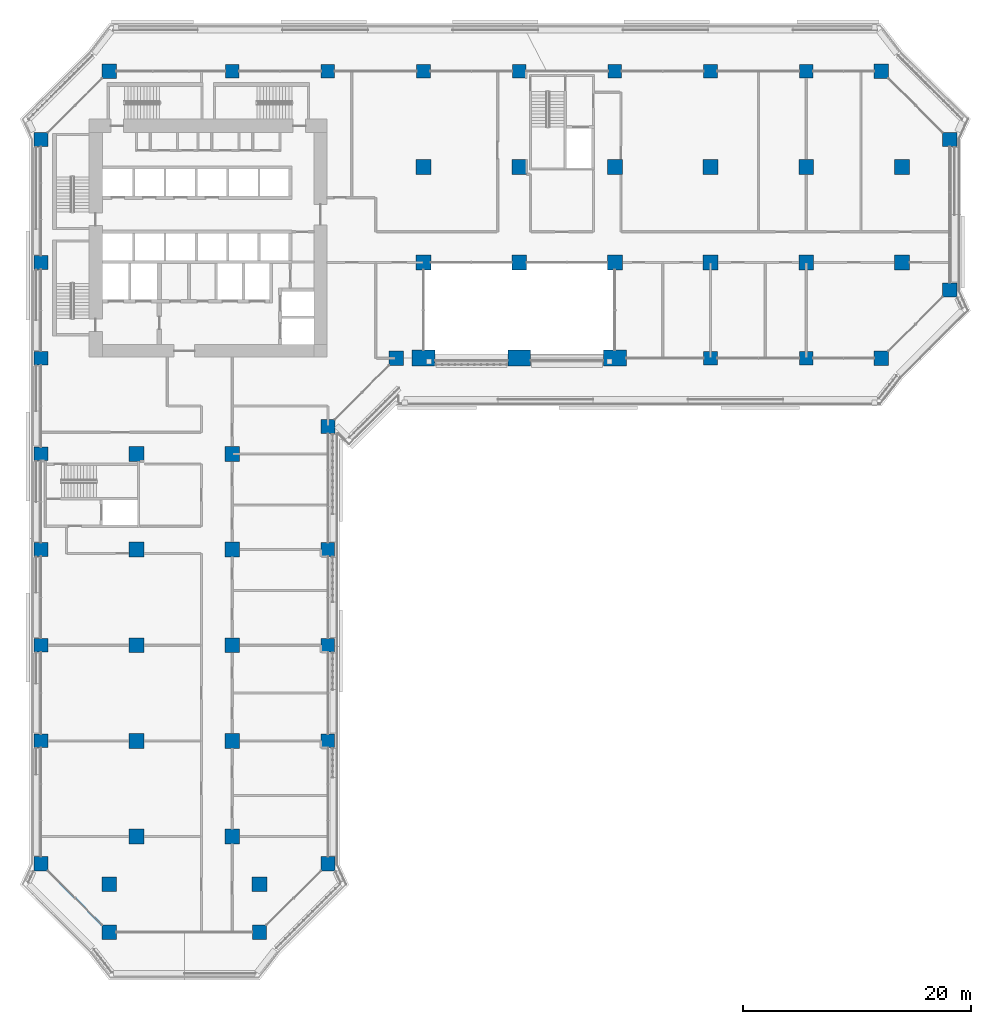
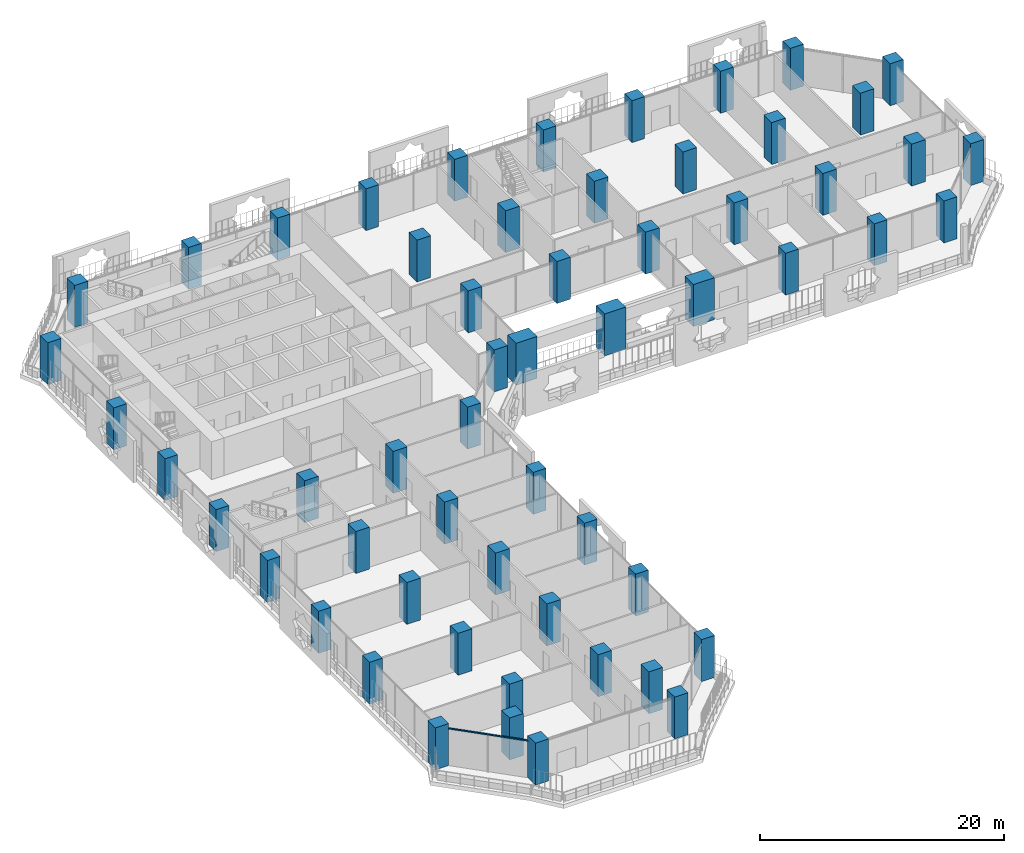
# One storey, part 1 of 28: 57 columns, 1 member, 1 element without a shape of its own.
"""IFC4 building model written with IfcOpenShell, lengths in metres."""

import ifcopenshell
import ifcopenshell.guid

model = None  # the IFC model being written
_history = None  # IfcOwnerHistory: only IFC2X3 demands one
_inside = {}  # id of a spatial element -> (the spatial element, [elements in it])
_under = {}  # id of a project, library or spatial element -> (it, [spatial elements below it])
_declared = {}  # id of a project -> (the project, [libraries it declares])
_typed = {}  # id of a type object -> (the type object, [elements of that type])
_made_of = {}  # id of a material, layer set ... -> (it, [elements and type objects made of it])


def new_model(schema):
    """Start an empty IFC model of exactly this schema.

    Asked for "IFC4X3", IfcOpenShell would pick the latest addendum, in which some entities
    have other attributes; the version numbers below select the first issue.
    IFC2X3 requires an IfcOwnerHistory on every rooted entity: one is made here for all.
    """
    global model, _history
    if schema == "IFC4X3":
        model = ifcopenshell.file(schema_version=(4, 3, 0, 0))
    else:
        model = ifcopenshell.file(schema=schema)
    _inside.clear()
    _under.clear()
    _declared.clear()
    _typed.clear()
    _made_of.clear()
    _history = None
    if model.schema == "IFC2X3":
        org = make("IfcOrganization", Name="unknown")
        user = make(
            "IfcPersonAndOrganization",
            ThePerson=make("IfcPerson", FamilyName="unknown"),
            TheOrganization=org,
        )
        app = make(
            "IfcApplication",
            ApplicationDeveloper=org,
            Version="unknown",
            ApplicationFullName="unknown",
            ApplicationIdentifier="unknown",
        )
        _history = make(
            "IfcOwnerHistory",
            OwningUser=user,
            OwningApplication=app,
            ChangeAction="ADDED",
            CreationDate=0,
        )
    return model


def make(cls, **values):
    """One entity of the class cls with the attributes given. An attribute that is None is left unset."""
    return model.create_entity(
        cls, **{name: value for name, value in values.items() if value is not None}
    )


def rooted(cls, **values):
    """An entity with a GlobalId (a new one), such as an element, a storey or a relation."""
    return make(cls, GlobalId=ifcopenshell.guid.new(), OwnerHistory=_history, **values)


def si_unit(unit_type, name, prefix=None):
    """IfcSIUnit, for example si_unit("LENGTHUNIT", "METRE", prefix="MILLI")."""
    return make("IfcSIUnit", UnitType=unit_type, Prefix=prefix, Name=name)


def assignment(units):
    """IfcUnitAssignment: the units of a project."""
    return None if units is None else make("IfcUnitAssignment", Units=units)


def point(xyz):
    """IfcCartesianPoint."""
    return None if xyz is None else make("IfcCartesianPoint", Coordinates=xyz)


def direction(xyz):
    """IfcDirection."""
    return None if xyz is None else make("IfcDirection", DirectionRatios=xyz)


def frame(location, z_axis=None, x_axis=None):
    """IfcAxis2Placement3D, a coordinate frame: its origin and axes. An axis left out is left unset."""
    return make(
        "IfcAxis2Placement3D",
        Location=point(location),
        Axis=direction(z_axis),
        RefDirection=direction(x_axis),
    )


def frame_2d(location, x_axis=None):
    """IfcAxis2Placement2D, a coordinate frame in the plane: its origin and x axis."""
    return make(
        "IfcAxis2Placement2D", Location=point(location), RefDirection=direction(x_axis)
    )


def origin():
    """The frame at (0, 0, 0) with its axes left unset."""
    return frame((0.0, 0.0, 0.0))


def origin_2d():
    """The frame at (0, 0) in the plane with its x axis left unset."""
    return frame_2d((0.0, 0.0))


def place(relative_to, where):
    """IfcLocalPlacement: puts the frame where relative to a parent placement (None: the world)."""
    return make(
        "IfcLocalPlacement", PlacementRelTo=relative_to, RelativePlacement=where
    )


def context(
    kind, dimensions, precision=None, world=None, true_north=None, identifier=None
):
    """IfcGeometricRepresentationContext, for example the 3D "Model" context."""
    return make(
        "IfcGeometricRepresentationContext",
        ContextIdentifier=identifier,
        ContextType=kind,
        CoordinateSpaceDimension=dimensions,
        Precision=precision,
        WorldCoordinateSystem=world,
        TrueNorth=true_north,
    )


def subcontext(parent, identifier, kind, view, scale=None):
    """IfcGeometricRepresentationSubContext, for example "Body" below "Model"."""
    return make(
        "IfcGeometricRepresentationSubContext",
        ContextIdentifier=identifier,
        ContextType=kind,
        ParentContext=parent,
        TargetScale=scale,
        TargetView=view,
    )


def project(units=None, contexts=None):
    """IfcProject with its units and contexts."""
    return rooted(
        "IfcProject",
        Name="project",
        RepresentationContexts=contexts,
        UnitsInContext=assignment(units),
    )


def spatial(cls, under=None, at=None, **own):
    """A site, building, storey or space (cls), placed at a placement, below another one or the project."""
    s = rooted(cls, ObjectPlacement=at, **own)
    if under is not None:
        _under.setdefault(under.id(), (under, []))[1].append(s)
    return s


def profile(cls, at=None, kind="AREA", **sizes):
    """A parametric profile (cls). Its sizes go by their IFC names, for example OverallWidth=200.0."""
    return make(cls, ProfileType=kind, Position=at, **sizes)


def rectangle(**sizes):
    """IfcRectangleProfileDef."""
    return profile("IfcRectangleProfileDef", **sizes)


def extrude(swept, where, along, depth):
    """IfcExtrudedAreaSolid: the profile swept, set in the frame where, extruded along a direction by depth."""
    return make(
        "IfcExtrudedAreaSolid",
        SweptArea=swept,
        Position=where,
        ExtrudedDirection=direction(along),
        Depth=depth,
    )


def shape(context_of_items, identifier, shape_type, items):
    """IfcShapeRepresentation: the items that make up one representation, for example the "Body"."""
    return make(
        "IfcShapeRepresentation",
        ContextOfItems=context_of_items,
        RepresentationIdentifier=identifier,
        RepresentationType=shape_type,
        Items=items,
    )


def material(Name=None, Category=None):
    """IfcMaterial."""
    return make("IfcMaterial", Name=Name, Category=Category)


def layer(
    of_material, thickness, ventilated=None, Name=None, Category=None, Priority=None
):
    """IfcMaterialLayer: one layer of a wall or slab, of a material (None: an air gap)."""
    return make(
        "IfcMaterialLayer",
        Material=of_material,
        LayerThickness=thickness,
        IsVentilated=ventilated,
        Name=Name,
        Category=Category,
        Priority=Priority,
    )


def layer_set(layers, Name=None):
    """IfcMaterialLayerSet."""
    return make("IfcMaterialLayerSet", MaterialLayers=layers, LayerSetName=Name)


def material_profile(
    of_material, cross_section, Name=None, Category=None, Priority=None
):
    """IfcMaterialProfile: a cross section and its material."""
    return make(
        "IfcMaterialProfile",
        Name=Name,
        Material=of_material,
        Profile=cross_section,
        Priority=Priority,
        Category=Category,
    )


def profile_set(profiles, Name=None, composite=None):
    """IfcMaterialProfileSet."""
    return make(
        "IfcMaterialProfileSet",
        Name=Name,
        MaterialProfiles=profiles,
        CompositeProfile=composite,
    )


def made_of(thing, what):
    """Note that an element or type object is made of a material, layer set ...; save() writes the relation."""
    if what is not None:
        _made_of.setdefault(what.id(), (what, []))[1].append(thing)
    return thing


def type_object(cls, material=None, **own):
    """A type object (cls), such as IfcWallType, which elements share."""
    return made_of(rooted(cls, **own), material)


def element(
    cls,
    number,
    at=None,
    inside=None,
    cuts=None,
    type_object=None,
    material=None,
    context=None,
    identifier="Body",
    shape_type=None,
    held_by="IfcProductDefinitionShape",
    body=None,
    shapes=None,
    **own,
):
    """One element of the class cls, such as IfcWall. Its Tag is "e" and its number.

    at: its placement. inside: the storey or other place that contains it. cuts: it is an
    opening in that element (IfcRelVoidsElement). A single representation is given by context,
    identifier, shape_type and body (its items); several are given by shapes. held_by: the class
    of the entity that holds the representations. save() writes the other relations.
    """
    e = rooted(cls, Tag="e%d" % number, ObjectPlacement=at, **own)
    if body is not None:
        shapes = [shape(context, identifier, shape_type, body)]
    if shapes is not None:
        e.Representation = make(held_by, Representations=shapes)
    if inside is not None:
        _inside.setdefault(inside.id(), (inside, []))[1].append(e)
    if cuts is not None:
        rooted(
            "IfcRelVoidsElement", RelatingBuildingElement=cuts, RelatedOpeningElement=e
        )
    if type_object is not None:
        _typed.setdefault(type_object.id(), (type_object, []))[1].append(e)
    return made_of(e, material)


def aggregate(whole, parts):
    """IfcRelAggregates: a whole, such as a stair, and the parts it consists of."""
    return rooted("IfcRelAggregates", RelatingObject=whole, RelatedObjects=parts)


def save(model, path):
    """Write the relations noted so far, then the file.

    IfcRelAggregates (storeys below a building ...), IfcRelContainedInSpatialStructure (elements
    in a storey), IfcRelDefinesByType, IfcRelAssociatesMaterial and IfcRelDeclares: one each for
    every whole, place, type object, material and project.
    """
    for whole, parts in _under.values():
        aggregate(whole, parts)
    for where, things in _inside.values():
        rooted(
            "IfcRelContainedInSpatialStructure",
            RelatedElements=things,
            RelatingStructure=where,
        )
    for kind, things in _typed.values():
        rooted("IfcRelDefinesByType", RelatedObjects=things, RelatingType=kind)
    for what, things in _made_of.values():
        rooted("IfcRelAssociatesMaterial", RelatedObjects=things, RelatingMaterial=what)
    for by, libraries in _declared.values():
        rooted("IfcRelDeclares", RelatingContext=by, RelatedDefinitions=libraries)
    model.write(path)


model = new_model("IFC4")

# Units and contexts
model_context = context("Model", 3, precision=1e-05, world=origin(), true_north=direction((0.0, 1.0)))
body_context = subcontext(model_context, "Body", "Model", "MODEL_VIEW")
ifc_project = project(units=[si_unit("LENGTHUNIT", "METRE"), si_unit("AREAUNIT", "SQUARE_METRE"), si_unit("VOLUMEUNIT", "CUBIC_METRE"), si_unit("PLANEANGLEUNIT", "RADIAN"), si_unit("MASSUNIT", "GRAM", prefix="KILO")], contexts=[model_context])

# Site, building, storey
site_placement = place(None, origin())
site = spatial("IfcSite", under=ifc_project, at=site_placement, CompositionType="ELEMENT")
building_placement = place(site_placement, origin())
building = spatial("IfcBuilding", under=site, at=building_placement, Name="Kawkab Arch Medical Tower", CompositionType="ELEMENT")
storey_placement = place(building_placement, frame((0.0, 0.0, 47.60009765625)))
storey = spatial("IfcBuildingStorey", under=building, at=storey_placement, Name="L10", CompositionType="ELEMENT", Elevation=47.60009765625)

# Columns
ifc_material_1 = material(Name="Concrete C60/75", Category="concrete")
ifc_material_profile_1 = material_profile(ifc_material_1, rectangle(XDim=1.199951171875, YDim=1.199951171875, at=origin_2d()), Name="RC 1200x1200")
ifc_profile_set_1 = profile_set([ifc_material_profile_1], Name="Concrete C60/75")
column_type_1 = type_object("IfcColumnType", Name="RC 1200x1200 column C60/75", PredefinedType="COLUMN", material=ifc_profile_set_1)
for number, where, z_axis, x_axis, name in (
    (1, (16.800048828125, 0.0, 0.0), (0.0, 0.0, 1.0), (1.0, 0.0, 0.0), "Column RC 1200x1200"),
    (2, (25.199951171875, 0.0, 0.0), (0.0, 0.0, 1.0), (1.0, 0.0, 0.0), "Column RC 1200x1200"),
    (3, (33.60009765625, 0.0, 0.0), (0.0, 0.0, 1.0), (1.0, 0.0, 0.0), "Column RC 1200x1200"),
    (4, (42.0, 0.0, 0.0), (0.0, 0.0, 1.0), (1.0, 0.0, 0.0), "Column RC 1200x1200"),
    (5, (50.39990234375, 0.0, 0.0), (0.0, 0.0, 1.0), (1.0, 0.0, 0.0), "Column RC 1200x1200"),
    (6, (58.800048828125, 0.0, 0.0), (0.0, 0.0, 1.0), (1.0, 0.0, 0.0), "Column RC 1200x1200"),
    (7, (67.199951171875, 0.0, 0.0), (0.0, 0.0, 1.0), (1.0, 0.0, 0.0), "Column RC 1200x1200"),
    (8, (0.0, -16.800048828125, 0.0), (0.0, 0.0, 1.0), (1.0, 0.0, 0.0), "Column RC 1200x1200"),
    (9, (0.0, -25.199951171875, 0.0), (0.0, 0.0, 1.0), (1.0, 0.0, 0.0), "Column RC 1200x1200"),
    (10, (58.800048828125, -25.199951171875, 0.0), (0.0, 0.0, 1.0), (1.0, 0.0, 0.0), "Column RC 1200x1200"),
    (11, (67.199951171875, -25.199951171875, 0.0), (0.0, 0.0, 1.0), (1.0, 0.0, 0.0), "Column RC 1200x1200"),
    (12, (0.0, -33.60009765625, 0.0), (0.0, 0.0, 1.0), (1.0, 0.0, 0.0), "Column RC 1200x1200"),
    (13, (0.0, -42.0, 0.0), (0.0, 0.0, 1.0), (1.0, 0.0, 0.0), "Column RC 1200x1200"),
    (14, (25.199951171875, -42.0, 0.0), (0.0, 0.0, 1.0), (1.0, 0.0, 0.0), "Column RC 1200x1200"),
    (15, (0.0, -50.39990234375, 0.0), (0.0, 0.0, 1.0), (1.0, 0.0, 0.0), "Column RC 1200x1200"),
    (16, (25.199951171875, -50.39990234375, 0.0), (0.0, 0.0, 1.0), (1.0, 0.0, 0.0), "Column RC 1200x1200"),
    (17, (0.0, -58.800048828125, 0.0), (0.0, 0.0, 1.0), (1.0, 0.0, 0.0), "Column RC 1200x1200"),
    (18, (25.199951171875, -58.800048828125, 0.0), (0.0, 0.0, 1.0), (1.0, 0.0, 0.0), "Column RC 1200x1200"),
):
    element("IfcColumn", number, at=place(storey_placement, frame(where, z_axis=z_axis, x_axis=x_axis)), inside=storey, type_object=column_type_1, Name=name, PredefinedType="COLUMN", context=body_context, shape_type="SweptSolid", body=[
        extrude(rectangle(XDim=1.199951171875, YDim=1.199951171875, at=origin_2d()), origin(), (0.0, 0.0, 1.0), 4.199951171875),
    ])
ifc_material_2 = material(Name="Concrete C60/75", Category="concrete")
ifc_material_profile_2 = material_profile(ifc_material_2, rectangle(XDim=1.25, YDim=1.25, at=origin_2d()), Name="RC 1250x1250")
ifc_profile_set_2 = profile_set([ifc_material_profile_2], Name="Concrete C60/75")
column_type_2 = type_object("IfcColumnType", Name="RC 1250x1250 column C60/75", PredefinedType="COLUMN", material=ifc_profile_set_2)
for number, where, z_axis, x_axis, name in (
    (19, (6.0, 0.0, 0.0), (0.0, 0.0, 1.0), (1.0, 0.0, 0.0), "Column RC 1250x1250"),
    (20, (73.800048828125, 0.0, 0.0), (0.0, 0.0, 1.0), (1.0, 0.0, 0.0), "Column RC 1250x1250"),
    (21, (0.0, -6.0, 0.0), (0.0, 0.0, 1.0), (1.0, 0.0, 0.0), "Column RC 1250x1250"),
    (22, (79.800048828125, -6.0, 0.0), (0.0, 0.0, 1.0), (1.0, 0.0, 0.0), "Column RC 1250x1250"),
    (23, (79.800048828125, -19.199951171875, 0.0), (0.0, 0.0, 1.0), (1.0, 0.0, 0.0), "Column RC 1250x1250"),
    (24, (31.199951171875, -25.199951171875, 0.0), (0.0, 0.0, 1.0), (1.0, 0.0, 0.0), "Column RC 1250x1250"),
    (25, (73.800048828125, -25.199951171875, 0.0), (0.0, 0.0, 1.0), (1.0, 0.0, 0.0), "Column RC 1250x1250"),
    (26, (25.199951171875, -31.199951171875, 0.0), (0.0, 0.0, 1.0), (1.0, 0.0, 0.0), "Column RC 1250x1250"),
    (27, (0.0, -69.60009765625, 0.0), (0.0, 0.0, 1.0), (1.0, 0.0, 0.0), "Column RC 1250x1250"),
    (28, (25.199951171875, -69.60009765625, 0.0), (0.0, 0.0, 1.0), (1.0, 0.0, 0.0), "Column RC 1250x1250"),
    (29, (6.0, -75.60009765625, 0.0), (0.0, 0.0, 1.0), (1.0, 0.0, 0.0), "Column RC 1250x1250"),
    (30, (19.199951171875, -75.60009765625, 0.0), (0.0, 0.0, 1.0), (1.0, 0.0, 0.0), "Column RC 1250x1250"),
):
    element("IfcColumn", number, at=place(storey_placement, frame(where, z_axis=z_axis, x_axis=x_axis)), inside=storey, type_object=column_type_2, Name=name, PredefinedType="COLUMN", context=body_context, shape_type="SweptSolid", body=[
        extrude(rectangle(XDim=1.25, YDim=1.25, at=origin_2d()), origin(), (0.0, 0.0, 1.0), 4.199951171875),
    ])
ifc_material_3 = material(Name="Concrete C60/75", Category="concrete")
ifc_material_profile_3 = material_profile(ifc_material_3, rectangle(XDim=1.300048828125, YDim=1.300048828125, at=origin_2d()), Name="RC 1300x1300")
ifc_profile_set_3 = profile_set([ifc_material_profile_3], Name="Concrete C60/75")
column_type_3 = type_object("IfcColumnType", Name="RC 1300x1300 column C60/75", PredefinedType="COLUMN", material=ifc_profile_set_3)
for number, where, z_axis, x_axis, name in (
    (31, (33.60009765625, -8.39990234375, 0.0), (0.0, 0.0, 1.0), (1.0, 0.0, 0.0), "Column RC 1300x1300"),
    (32, (42.0, -8.39990234375, 0.0), (0.0, 0.0, 1.0), (1.0, 0.0, 0.0), "Column RC 1300x1300"),
    (33, (50.39990234375, -8.39990234375, 0.0), (0.0, 0.0, 1.0), (1.0, 0.0, 0.0), "Column RC 1300x1300"),
    (34, (58.800048828125, -8.39990234375, 0.0), (0.0, 0.0, 1.0), (1.0, 0.0, 0.0), "Column RC 1300x1300"),
    (35, (67.199951171875, -8.39990234375, 0.0), (0.0, 0.0, 1.0), (1.0, 0.0, 0.0), "Column RC 1300x1300"),
    (36, (75.60009765625, -8.39990234375, 0.0), (0.0, 0.0, 1.0), (1.0, 0.0, 0.0), "Column RC 1300x1300"),
    (37, (33.60009765625, -16.800048828125, 0.0), (0.0, 0.0, 1.0), (1.0, 0.0, 0.0), "Column RC 1300x1300"),
    (38, (42.0, -16.800048828125, 0.0), (0.0, 0.0, 1.0), (1.0, 0.0, 0.0), "Column RC 1300x1300"),
    (39, (50.39990234375, -16.800048828125, 0.0), (0.0, 0.0, 1.0), (1.0, 0.0, 0.0), "Column RC 1300x1300"),
    (40, (58.800048828125, -16.800048828125, 0.0), (0.0, 0.0, 1.0), (1.0, 0.0, 0.0), "Column RC 1300x1300"),
    (41, (67.199951171875, -16.800048828125, 0.0), (0.0, 0.0, 1.0), (1.0, 0.0, 0.0), "Column RC 1300x1300"),
    (42, (75.60009765625, -16.800048828125, 0.0), (0.0, 0.0, 1.0), (1.0, 0.0, 0.0), "Column RC 1300x1300"),
    (43, (8.39990234375, -33.60009765625, 0.0), (0.0, 0.0, 1.0), (1.0, 0.0, 0.0), "Column RC 1300x1300"),
    (44, (16.800048828125, -33.60009765625, 0.0), (0.0, 0.0, 1.0), (1.0, 0.0, 0.0), "Column RC 1300x1300"),
    (45, (8.39990234375, -42.0, 0.0), (0.0, 0.0, 1.0), (1.0, 0.0, 0.0), "Column RC 1300x1300"),
    (46, (16.800048828125, -42.0, 0.0), (0.0, 0.0, 1.0), (1.0, 0.0, 0.0), "Column RC 1300x1300"),
    (47, (8.39990234375, -50.39990234375, 0.0), (0.0, 0.0, 1.0), (1.0, 0.0, 0.0), "Column RC 1300x1300"),
    (48, (16.800048828125, -50.39990234375, 0.0), (0.0, 0.0, 1.0), (1.0, 0.0, 0.0), "Column RC 1300x1300"),
    (49, (8.39990234375, -58.800048828125, 0.0), (0.0, 0.0, 1.0), (1.0, 0.0, 0.0), "Column RC 1300x1300"),
    (50, (16.800048828125, -58.800048828125, 0.0), (0.0, 0.0, 1.0), (1.0, 0.0, 0.0), "Column RC 1300x1300"),
    (51, (8.39990234375, -67.199951171875, 0.0), (0.0, 0.0, 1.0), (1.0, 0.0, 0.0), "Column RC 1300x1300"),
    (52, (16.800048828125, -67.199951171875, 0.0), (0.0, 0.0, 1.0), (1.0, 0.0, 0.0), "Column RC 1300x1300"),
    (53, (6.0, -71.39990234375, 0.0), (0.0, 0.0, 1.0), (1.0, 0.0, 0.0), "Column RC 1300x1300"),
    (54, (19.199951171875, -71.39990234375, 0.0), (0.0, 0.0, 1.0), (1.0, 0.0, 0.0), "Column RC 1300x1300"),
):
    element("IfcColumn", number, at=place(storey_placement, frame(where, z_axis=z_axis, x_axis=x_axis)), inside=storey, type_object=column_type_3, Name=name, PredefinedType="COLUMN", context=body_context, shape_type="SweptSolid", body=[
        extrude(rectangle(XDim=1.300048828125, YDim=1.300048828125, at=origin_2d()), origin(), (0.0, 0.0, 1.0), 4.199951171875),
    ])
ifc_material_4 = material(Name="Concrete C60/75", Category="concrete")
ifc_material_profile_4 = material_profile(ifc_material_4, rectangle(XDim=2.0, YDim=1.39990234375, at=origin_2d()), Name="RC 2000x1400")
ifc_profile_set_4 = profile_set([ifc_material_profile_4], Name="Concrete C60/75")
column_type_4 = type_object("IfcColumnType", Name="RC 2000x1400 column C60/75", PredefinedType="COLUMN", material=ifc_profile_set_4)
for number, where, z_axis, x_axis, name in (
    (55, (33.60009765625, -25.199951171875, 0.0), (0.0, 0.0, 1.0), (-1.0, 0.0, 0.0), "Column RC 2000x1400"),
    (56, (42.0, -25.199951171875, 0.0), (0.0, 0.0, 1.0), (-1.0, 0.0, 0.0), "Column RC 2000x1400"),
    (57, (50.39990234375, -25.199951171875, 0.0), (0.0, 0.0, 1.0), (-1.0, 0.0, 0.0), "Column RC 2000x1400"),
):
    element("IfcColumn", number, at=place(storey_placement, frame(where, z_axis=z_axis, x_axis=x_axis)), inside=storey, type_object=column_type_4, Name=name, PredefinedType="COLUMN", context=body_context, shape_type="SweptSolid", body=[
        extrude(rectangle(XDim=2.0, YDim=1.39990234375, at=origin_2d()), origin(), (0.0, 0.0, 1.0), 4.199951171875),
    ])

# Curtain wall, member
ifc_material_5 = material(Name="Bronze anodised aluminium curtain wall frame", Category="aluminium")
ifc_layer = layer(ifc_material_5, 0.159912109375)
ifc_layer_set = layer_set([ifc_layer], Name="Bronze anodised aluminium curtain wall frame")
curtain_wall_type = type_object("IfcCurtainWallType", Name="CW2 chamfer curtain wall", PredefinedType="NOTDEFINED", material=ifc_layer_set)
curtain_wall_placement = place(storey_placement, origin())
curtain_wall = element("IfcCurtainWall", 58, at=curtain_wall_placement, inside=storey, type_object=curtain_wall_type, Name="CW2 Chamfer curtain wall R12", PredefinedType="NOTDEFINED")
ifc_material_6 = material(Name="Bronze anodised aluminium curtain wall frame", Category="aluminium")
ifc_material_profile_5 = material_profile(ifc_material_6, rectangle(XDim=0.06005859375, YDim=0.139892578125, at=origin_2d()), Name="AL 60x140")
ifc_profile_set_5 = profile_set([ifc_material_profile_5], Name="Bronze anodised aluminium curtain wall frame")
member_type = type_object("IfcMemberType", Name="CW2 transom 140 x 60", PredefinedType="USERDEFINED", material=ifc_profile_set_5)
member_placement = place(storey_placement, frame((0.625, -70.22509765625, 3.7099609375), z_axis=(0.707106781187, -0.707106781187, 0.0), x_axis=(0.707106781187, 0.707106781187, 0.0)))
member = element("IfcMember", 59, at=member_placement, type_object=member_type, Name="CW2 transom 1", ObjectType="TRANSOM", PredefinedType="USERDEFINED", context=body_context, shape_type="SweptSolid", body=[
    extrude(rectangle(XDim=0.06005859375, YDim=0.139892578125, at=origin_2d()), origin(), (0.0, 0.0, 1.0), 6.717529296875),
])
aggregate(curtain_wall, [member])

save(model, "model.ifc")
